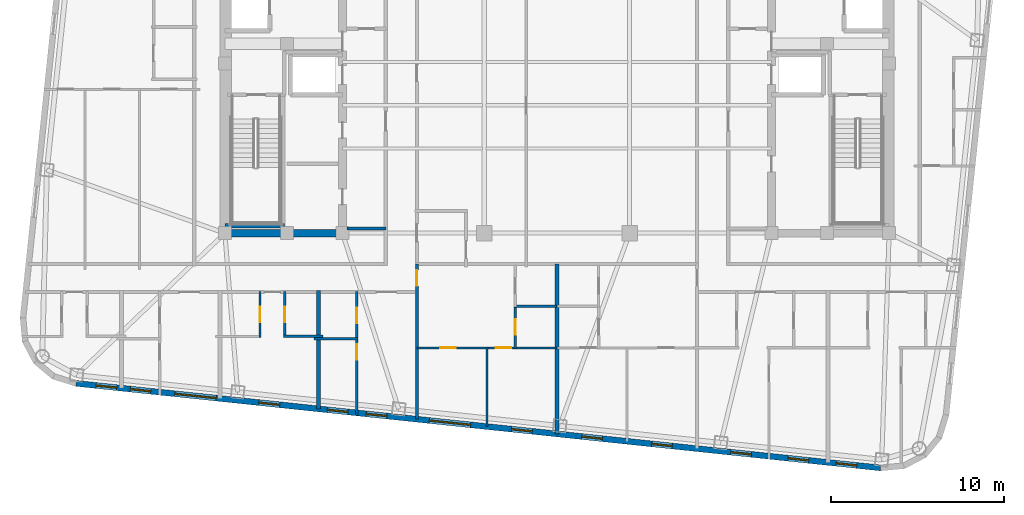
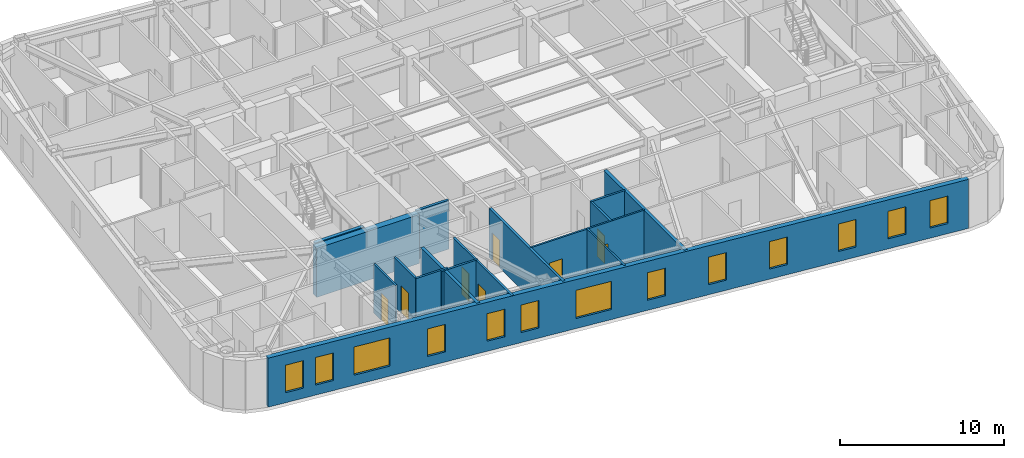
# One storey, part 3 of 11: 17 walls, 13 windows, 8 doors, 21 openings.
"""IFC4 building model written with IfcOpenShell, lengths in metres."""

from ifc_helpers import new_model, si_unit, direction, frame, frame_2d, origin, place, context, subcontext, project, spatial, rectangle, extrude, material, layer, layer_set, type_object, element, fill, save


model = new_model("IFC4")

# Units and contexts
model_context = context("Model", 3, precision=1e-05, world=origin(), true_north=direction((0.0, 1.0)))
body_context = subcontext(model_context, "Body", "Model", "MODEL_VIEW")
ifc_project = project(units=[si_unit("LENGTHUNIT", "METRE"), si_unit("AREAUNIT", "SQUARE_METRE"), si_unit("VOLUMEUNIT", "CUBIC_METRE"), si_unit("PLANEANGLEUNIT", "RADIAN"), si_unit("MASSUNIT", "GRAM", prefix="KILO")], contexts=[model_context])

# Site, building, storey
site_placement = place(None, origin())
site = spatial("IfcSite", under=ifc_project, at=site_placement, CompositionType="ELEMENT")
building_placement = place(site_placement, origin())
building = spatial("IfcBuilding", under=site, at=building_placement, Name="Voryun Gate Residences", CompositionType="ELEMENT")
storey_placement = place(building_placement, frame((0.0, 0.0, 283.39990234375)))
storey = spatial("IfcBuildingStorey", under=building, at=storey_placement, Name="L70", CompositionType="ELEMENT", Elevation=283.39990234375)

# Walls
ifc_material_1 = material(Name="Concrete C50/60", Category="concrete")
ifc_layer_1 = layer(ifc_material_1, 0.449951171875, Name="CW_CORE_450")
ifc_layer_set_1 = layer_set([ifc_layer_1], Name="Concrete C50/60")
wall_type_1 = type_object("IfcWallType", Name="CW_CORE_450", PredefinedType="SHEAR", material=ifc_layer_set_1)
wall_1_placement = place(storey_placement, frame((-19.425048828125, -7.39990234375, 0.0), z_axis=(0.0, 0.0, 1.0), x_axis=(1.0, 0.0, 0.0)))
element("IfcWall", 1, at=wall_1_placement, inside=storey, type_object=wall_type_1, Name="L70 Core shear wall CW-L70-WS", PredefinedType="SHEAR", context=body_context, shape_type="SweptSolid", body=[
    extrude(rectangle(XDim=7.25, YDim=0.449951171875, at=frame_2d((3.625, 0.0))), origin(), (0.0, 0.0, 1.0), 3.650146484375),
])
ifc_material_2 = material(Name="Gypsum acoustic fireboard")
ifc_layer_2 = layer(ifc_material_2, 0.179931640625, Name="W_CORR_RATED_180")
ifc_layer_set_2 = layer_set([ifc_layer_2], Name="Gypsum acoustic fireboard")
wall_type_2 = type_object("IfcWallType", Name="W_CORR_RATED_180", PredefinedType="PARTITIONING", material=ifc_layer_set_2)
wall_2_placement = place(storey_placement, frame((-12.14990234375, -7.1201171875, 0.0), z_axis=(0.0, 0.0, 1.0), x_axis=(1.0, 0.0, 0.0)))
element("IfcWall", 2, at=wall_2_placement, inside=storey, type_object=wall_type_2, Name="Partition wall WP-L70-PLBS-W", PredefinedType="PARTITIONING", context=body_context, shape_type="SweptSolid", body=[
    extrude(rectangle(XDim=2.27001953125, YDim=0.179931640625, at=frame_2d((1.135009765625, 0.0))), origin(), (0.0, 0.0, 1.0), 3.650146484375),
])

# Wall, opening, door
wall_3_placement = place(storey_placement, frame((-8.10009765625, -18.154541015625, 0.0), z_axis=(0.0, 0.0, 1.0), x_axis=(0.0, 1.0, 0.0)))
wall_3 = element("IfcWall", 3, at=wall_3_placement, inside=storey, type_object=wall_type_2, Name="Partition wall WP-L70-SZV-1", PredefinedType="PARTITIONING", context=body_context, shape_type="SweptSolid", body=[
    extrude(rectangle(XDim=8.964599609375, YDim=0.179931640625, at=frame_2d((4.482421875, 0.0))), origin(), (0.0, 0.0, 1.0), 3.650146484375),
])
opening_1_placement = place(wall_3_placement, frame((7.71484375, 0.0, 0.0)))
opening_1 = element("IfcOpeningElement", 4, at=opening_1_placement, cuts=wall_3, Name="Opening D-INT-2", PredefinedType="OPENING", context=body_context, shape_type="SweptSolid", body=[
    extrude(rectangle(XDim=0.89990234375, YDim=2.050048828125, at=frame_2d((0.449951171875, 1.02490234375))), frame((0.0, 0.099853515625, 0.0), z_axis=(0.0, -1.0, 0.0), x_axis=(1.0, 0.0, 0.0)), (0.0, 0.0, 1.0), 0.199951171875),
])
ifc_material_3 = material(Name="Architectural oak veneer")
door_type = type_object("IfcDoorType", Name="DR_INT_BATH_900", OperationType="NOTDEFINED", PredefinedType="DOOR", material=ifc_material_3)
door_1_placement = place(opening_1_placement, origin())
door_1 = element("IfcDoor", 5, at=door_1_placement, inside=storey, type_object=door_type, Name="Door DR-L70-SZENT-1", OperationType="SINGLE_SWING_LEFT", OverallHeight=2.050048828125, OverallWidth=0.89990234375, PredefinedType="DOOR", context=body_context, shape_type="SweptSolid", body=[
    extrude(rectangle(XDim=0.89990234375, YDim=2.050048828125, at=frame_2d((0.449951171875, 1.02490234375))), frame((0.0, 0.02490234375, 0.0), z_axis=(0.0, -1.0, 0.0), x_axis=(1.0, 0.0, 0.0)), (0.0, 0.0, 1.0), 0.050048828125),
])
fill(opening_1, door_1)

# Wall, openings, windows
ifc_material_4 = material(Name="Charcoal terracotta masonry", Category="masonry")
ifc_layer_3 = layer(ifc_material_4, 0.340087890625, Name="W_EXT_TERRACOTTA_340")
ifc_layer_set_3 = layer_set([ifc_layer_3], Name="Charcoal terracotta masonry")
wall_type_3 = type_object("IfcWallType", Name="W_EXT_TERRACOTTA_340", PredefinedType="ELEMENTEDWALL", material=ifc_layer_set_3)
wall_4_placement = place(storey_placement, frame((18.707763671875, -20.97216796875, 0.0), z_axis=(0.0, 0.0, 1.0), x_axis=(-0.994521888554, 0.104528528102, 0.0)))
wall_4 = element("IfcWall", 6, at=wall_4_placement, inside=storey, type_object=wall_type_3, Name="Exterior wall WEXT-L70-01", PredefinedType="ELEMENTEDWALL", context=body_context, shape_type="SweptSolid", body=[
    extrude(rectangle(XDim=46.766357421875, YDim=0.340087890625, at=frame_2d((23.38330078125, 0.0))), origin(), (0.0, 0.0, 1.0), 3.650146484375),
])
opening_2_placement = place(wall_4_placement, frame((23.833251953125, 0.0, 0.75)))
opening_2 = element("IfcOpeningElement", 7, at=opening_2_placement, cuts=wall_4, Name="Opening WN2", PredefinedType="OPENING", context=body_context, shape_type="SweptSolid", body=[
    extrude(rectangle(XDim=2.39990234375, YDim=2.10009765625, at=frame_2d((1.199951171875, 1.050048828125))), frame((0.0, 0.179931640625, 0.0), z_axis=(0.0, -1.0, 0.0), x_axis=(1.0, 0.0, 0.0)), (0.0, 0.0, 1.0), 0.360107421875),
])
opening_3_placement = place(wall_4_placement, frame((38.6220703125, 0.0, 0.75)))
opening_3 = element("IfcOpeningElement", 8, at=opening_3_placement, cuts=wall_4, Name="Opening WN2", PredefinedType="OPENING", context=body_context, shape_type="SweptSolid", body=[
    extrude(rectangle(XDim=2.39990234375, YDim=2.10009765625, at=frame_2d((1.199951171875, 1.050048828125))), frame((0.0, 0.179931640625, 0.0), z_axis=(0.0, -1.0, 0.0), x_axis=(1.0, 0.0, 0.0)), (0.0, 0.0, 1.0), 0.360107421875),
])
opening_4_placement = place(wall_4_placement, frame((44.40185546875, 0.0, 0.75)))
opening_4 = element("IfcOpeningElement", 9, at=opening_4_placement, cuts=wall_4, Name="Opening WN6", PredefinedType="OPENING", context=body_context, shape_type="SweptSolid", body=[
    extrude(rectangle(XDim=1.199951171875, YDim=2.050048828125, at=frame_2d((0.60009765625, 1.02490234375))), frame((0.0, 0.179931640625, 0.0), z_axis=(0.0, -1.0, 0.0), x_axis=(1.0, 0.0, 0.0)), (0.0, 0.0, 1.0), 0.360107421875),
])
opening_5_placement = place(wall_4_placement, frame((42.418701171875, 0.0, 0.75)))
opening_5 = element("IfcOpeningElement", 10, at=opening_5_placement, cuts=wall_4, Name="Opening WN6", PredefinedType="OPENING", context=body_context, shape_type="SweptSolid", body=[
    extrude(rectangle(XDim=1.199951171875, YDim=2.050048828125, at=frame_2d((0.60009765625, 1.02490234375))), frame((0.0, 0.179931640625, 0.0), z_axis=(0.0, -1.0, 0.0), x_axis=(1.0, 0.0, 0.0)), (0.0, 0.0, 1.0), 0.360107421875),
])
opening_6_placement = place(wall_4_placement, frame((34.93310546875, 0.0, 0.75)))
opening_6 = element("IfcOpeningElement", 11, at=opening_6_placement, cuts=wall_4, Name="Opening WN6", PredefinedType="OPENING", context=body_context, shape_type="SweptSolid", body=[
    extrude(rectangle(XDim=1.199951171875, YDim=2.050048828125, at=frame_2d((0.60009765625, 1.02490234375))), frame((0.0, 0.179931640625, 0.0), z_axis=(0.0, -1.0, 0.0), x_axis=(1.0, 0.0, 0.0)), (0.0, 0.0, 1.0), 0.360107421875),
])
opening_7_placement = place(wall_4_placement, frame((28.69189453125, 0.0, 0.75)))
opening_7 = element("IfcOpeningElement", 12, at=opening_7_placement, cuts=wall_4, Name="Opening WN6", PredefinedType="OPENING", context=body_context, shape_type="SweptSolid", body=[
    extrude(rectangle(XDim=1.199951171875, YDim=2.050048828125, at=frame_2d((0.60009765625, 1.02490234375))), frame((0.0, 0.179931640625, 0.0), z_axis=(0.0, -1.0, 0.0), x_axis=(1.0, 0.0, 0.0)), (0.0, 0.0, 1.0), 0.360107421875),
])
opening_8_placement = place(wall_4_placement, frame((30.95703125, 0.0, 0.75)))
opening_8 = element("IfcOpeningElement", 13, at=opening_8_placement, cuts=wall_4, Name="Opening WN6", PredefinedType="OPENING", context=body_context, shape_type="SweptSolid", body=[
    extrude(rectangle(XDim=1.199951171875, YDim=2.050048828125, at=frame_2d((0.60009765625, 1.02490234375))), frame((0.0, 0.179931640625, 0.0), z_axis=(0.0, -1.0, 0.0), x_axis=(1.0, 0.0, 0.0)), (0.0, 0.0, 1.0), 0.360107421875),
])
opening_9_placement = place(wall_4_placement, frame((7.510009765625, 0.0, 0.75)))
opening_9 = element("IfcOpeningElement", 14, at=opening_9_placement, cuts=wall_4, Name="Opening WN6", PredefinedType="OPENING", context=body_context, shape_type="SweptSolid", body=[
    extrude(rectangle(XDim=1.199951171875, YDim=2.050048828125, at=frame_2d((0.60009765625, 1.02490234375))), frame((0.0, 0.179931640625, 0.0), z_axis=(0.0, -1.0, 0.0), x_axis=(1.0, 0.0, 0.0)), (0.0, 0.0, 1.0), 0.360107421875),
])
opening_10_placement = place(wall_4_placement, frame((4.17724609375, 0.0, 0.75)))
opening_10 = element("IfcOpeningElement", 15, at=opening_10_placement, cuts=wall_4, Name="Opening WN6", PredefinedType="OPENING", context=body_context, shape_type="SweptSolid", body=[
    extrude(rectangle(XDim=1.199951171875, YDim=2.050048828125, at=frame_2d((0.60009765625, 1.02490234375))), frame((0.0, 0.179931640625, 0.0), z_axis=(0.0, -1.0, 0.0), x_axis=(1.0, 0.0, 0.0)), (0.0, 0.0, 1.0), 0.360107421875),
])
opening_11_placement = place(wall_4_placement, frame((1.377685546875, 0.0, 0.75)))
opening_11 = element("IfcOpeningElement", 16, at=opening_11_placement, cuts=wall_4, Name="Opening WN6", PredefinedType="OPENING", context=body_context, shape_type="SweptSolid", body=[
    extrude(rectangle(XDim=1.199951171875, YDim=2.050048828125, at=frame_2d((0.60009765625, 1.02490234375))), frame((0.0, 0.179931640625, 0.0), z_axis=(0.0, -1.0, 0.0), x_axis=(1.0, 0.0, 0.0)), (0.0, 0.0, 1.0), 0.360107421875),
])
opening_12_placement = place(wall_4_placement, frame((20.25439453125, 0.0, 0.75)))
opening_12 = element("IfcOpeningElement", 17, at=opening_12_placement, cuts=wall_4, Name="Opening WN6", PredefinedType="OPENING", context=body_context, shape_type="SweptSolid", body=[
    extrude(rectangle(XDim=1.199951171875, YDim=2.050048828125, at=frame_2d((0.60009765625, 1.02490234375))), frame((0.0, 0.179931640625, 0.0), z_axis=(0.0, -1.0, 0.0), x_axis=(1.0, 0.0, 0.0)), (0.0, 0.0, 1.0), 0.360107421875),
])
opening_13_placement = place(wall_4_placement, frame((16.172119140625, 0.0, 0.75)))
opening_13 = element("IfcOpeningElement", 18, at=opening_13_placement, cuts=wall_4, Name="Opening WN6", PredefinedType="OPENING", context=body_context, shape_type="SweptSolid", body=[
    extrude(rectangle(XDim=1.199951171875, YDim=2.050048828125, at=frame_2d((0.60009765625, 1.02490234375))), frame((0.0, 0.179931640625, 0.0), z_axis=(0.0, -1.0, 0.0), x_axis=(1.0, 0.0, 0.0)), (0.0, 0.0, 1.0), 0.360107421875),
])
opening_14_placement = place(wall_4_placement, frame((12.109619140625, 0.0, 0.75)))
opening_14 = element("IfcOpeningElement", 19, at=opening_14_placement, cuts=wall_4, Name="Opening WN6", PredefinedType="OPENING", context=body_context, shape_type="SweptSolid", body=[
    extrude(rectangle(XDim=1.199951171875, YDim=2.050048828125, at=frame_2d((0.60009765625, 1.02490234375))), frame((0.0, 0.179931640625, 0.0), z_axis=(0.0, -1.0, 0.0), x_axis=(1.0, 0.0, 0.0)), (0.0, 0.0, 1.0), 0.360107421875),
])
ifc_material_5 = material(Name="Laminated low-E glass", Category="glass")
window_type_1 = type_object("IfcWindowType", Name="WN_POD_SLOT_1200", PartitioningType="SINGLE_PANEL", PredefinedType="WINDOW", material=ifc_material_5)
window_1_placement = place(opening_4_placement, origin())
window_1 = element("IfcWindow", 20, at=window_1_placement, inside=storey, type_object=window_type_1, Name="Window WN-L70-DWFIX-13", OverallHeight=2.050048828125, OverallWidth=1.199951171875, PartitioningType="SINGLE_PANEL", PredefinedType="WINDOW", context=body_context, shape_type="SweptSolid", body=[
    extrude(rectangle(XDim=1.199951171875, YDim=2.050048828125, at=frame_2d((0.60009765625, 1.02490234375))), frame((0.0, 0.030029296875, 0.0), z_axis=(0.0, -1.0, 0.0), x_axis=(1.0, 0.0, 0.0)), (0.0, 0.0, 1.0), 0.06005859375),
])
fill(opening_4, window_1)
window_2_placement = place(opening_5_placement, origin())
window_2 = element("IfcWindow", 21, at=window_2_placement, inside=storey, type_object=window_type_1, Name="Window WN-L70-DWFIX-14", OverallHeight=2.050048828125, OverallWidth=1.199951171875, PartitioningType="SINGLE_PANEL", PredefinedType="WINDOW", context=body_context, shape_type="SweptSolid", body=[
    extrude(rectangle(XDim=1.199951171875, YDim=2.050048828125, at=frame_2d((0.60009765625, 1.02490234375))), frame((0.0, 0.030029296875, 0.0), z_axis=(0.0, -1.0, 0.0), x_axis=(1.0, 0.0, 0.0)), (0.0, 0.0, 1.0), 0.06005859375),
])
fill(opening_5, window_2)
window_3_placement = place(opening_6_placement, origin())
window_3 = element("IfcWindow", 22, at=window_3_placement, inside=storey, type_object=window_type_1, Name="Window WN-L70-DWFIX-15", OverallHeight=2.050048828125, OverallWidth=1.199951171875, PartitioningType="SINGLE_PANEL", PredefinedType="WINDOW", context=body_context, shape_type="SweptSolid", body=[
    extrude(rectangle(XDim=1.199951171875, YDim=2.050048828125, at=frame_2d((0.60009765625, 1.02490234375))), frame((0.0, 0.030029296875, 0.0), z_axis=(0.0, -1.0, 0.0), x_axis=(1.0, 0.0, 0.0)), (0.0, 0.0, 1.0), 0.06005859375),
])
fill(opening_6, window_3)
window_4_placement = place(opening_7_placement, origin())
window_4 = element("IfcWindow", 23, at=window_4_placement, inside=storey, type_object=window_type_1, Name="Window WN-L70-DWFIX-16", OverallHeight=2.050048828125, OverallWidth=1.199951171875, PartitioningType="SINGLE_PANEL", PredefinedType="WINDOW", context=body_context, shape_type="SweptSolid", body=[
    extrude(rectangle(XDim=1.199951171875, YDim=2.050048828125, at=frame_2d((0.60009765625, 1.02490234375))), frame((0.0, 0.030029296875, 0.0), z_axis=(0.0, -1.0, 0.0), x_axis=(1.0, 0.0, 0.0)), (0.0, 0.0, 1.0), 0.06005859375),
])
fill(opening_7, window_4)
window_5_placement = place(opening_8_placement, origin())
window_5 = element("IfcWindow", 24, at=window_5_placement, inside=storey, type_object=window_type_1, Name="Window WN-L70-DWFIX-17", OverallHeight=2.050048828125, OverallWidth=1.199951171875, PartitioningType="SINGLE_PANEL", PredefinedType="WINDOW", context=body_context, shape_type="SweptSolid", body=[
    extrude(rectangle(XDim=1.199951171875, YDim=2.050048828125, at=frame_2d((0.60009765625, 1.02490234375))), frame((0.0, 0.030029296875, 0.0), z_axis=(0.0, -1.0, 0.0), x_axis=(1.0, 0.0, 0.0)), (0.0, 0.0, 1.0), 0.06005859375),
])
fill(opening_8, window_5)
window_6_placement = place(opening_9_placement, origin())
window_6 = element("IfcWindow", 25, at=window_6_placement, inside=storey, type_object=window_type_1, Name="Window WN-L70-DWFIX-18", OverallHeight=2.050048828125, OverallWidth=1.199951171875, PartitioningType="SINGLE_PANEL", PredefinedType="WINDOW", context=body_context, shape_type="SweptSolid", body=[
    extrude(rectangle(XDim=1.199951171875, YDim=2.050048828125, at=frame_2d((0.60009765625, 1.02490234375))), frame((0.0, 0.030029296875, 0.0), z_axis=(0.0, -1.0, 0.0), x_axis=(1.0, 0.0, 0.0)), (0.0, 0.0, 1.0), 0.06005859375),
])
fill(opening_9, window_6)
window_7_placement = place(opening_10_placement, origin())
window_7 = element("IfcWindow", 26, at=window_7_placement, inside=storey, type_object=window_type_1, Name="Window WN-L70-DWFIX-19", OverallHeight=2.050048828125, OverallWidth=1.199951171875, PartitioningType="SINGLE_PANEL", PredefinedType="WINDOW", context=body_context, shape_type="SweptSolid", body=[
    extrude(rectangle(XDim=1.199951171875, YDim=2.050048828125, at=frame_2d((0.60009765625, 1.02490234375))), frame((0.0, 0.030029296875, 0.0), z_axis=(0.0, -1.0, 0.0), x_axis=(1.0, 0.0, 0.0)), (0.0, 0.0, 1.0), 0.06005859375),
])
fill(opening_10, window_7)
window_8_placement = place(opening_11_placement, origin())
window_8 = element("IfcWindow", 27, at=window_8_placement, inside=storey, type_object=window_type_1, Name="Window WN-L70-DWFIX-20", OverallHeight=2.050048828125, OverallWidth=1.199951171875, PartitioningType="SINGLE_PANEL", PredefinedType="WINDOW", context=body_context, shape_type="SweptSolid", body=[
    extrude(rectangle(XDim=1.199951171875, YDim=2.050048828125, at=frame_2d((0.60009765625, 1.02490234375))), frame((0.0, 0.030029296875, 0.0), z_axis=(0.0, -1.0, 0.0), x_axis=(1.0, 0.0, 0.0)), (0.0, 0.0, 1.0), 0.06005859375),
])
fill(opening_11, window_8)
window_9_placement = place(opening_12_placement, origin())
window_9 = element("IfcWindow", 28, at=window_9_placement, inside=storey, type_object=window_type_1, Name="Window WN-L70-DWFIX-22", OverallHeight=2.050048828125, OverallWidth=1.199951171875, PartitioningType="SINGLE_PANEL", PredefinedType="WINDOW", context=body_context, shape_type="SweptSolid", body=[
    extrude(rectangle(XDim=1.199951171875, YDim=2.050048828125, at=frame_2d((0.60009765625, 1.02490234375))), frame((0.0, 0.030029296875, 0.0), z_axis=(0.0, -1.0, 0.0), x_axis=(1.0, 0.0, 0.0)), (0.0, 0.0, 1.0), 0.06005859375),
])
fill(opening_12, window_9)
window_10_placement = place(opening_13_placement, origin())
window_10 = element("IfcWindow", 29, at=window_10_placement, inside=storey, type_object=window_type_1, Name="Window WN-L70-DWFIX-23", OverallHeight=2.050048828125, OverallWidth=1.199951171875, PartitioningType="SINGLE_PANEL", PredefinedType="WINDOW", context=body_context, shape_type="SweptSolid", body=[
    extrude(rectangle(XDim=1.199951171875, YDim=2.050048828125, at=frame_2d((0.60009765625, 1.02490234375))), frame((0.0, 0.030029296875, 0.0), z_axis=(0.0, -1.0, 0.0), x_axis=(1.0, 0.0, 0.0)), (0.0, 0.0, 1.0), 0.06005859375),
])
fill(opening_13, window_10)
window_11_placement = place(opening_14_placement, origin())
window_11 = element("IfcWindow", 30, at=window_11_placement, inside=storey, type_object=window_type_1, Name="Window WN-L70-DWFIX-24", OverallHeight=2.050048828125, OverallWidth=1.199951171875, PartitioningType="SINGLE_PANEL", PredefinedType="WINDOW", context=body_context, shape_type="SweptSolid", body=[
    extrude(rectangle(XDim=1.199951171875, YDim=2.050048828125, at=frame_2d((0.60009765625, 1.02490234375))), frame((0.0, 0.030029296875, 0.0), z_axis=(0.0, -1.0, 0.0), x_axis=(1.0, 0.0, 0.0)), (0.0, 0.0, 1.0), 0.06005859375),
])
fill(opening_14, window_11)
ifc_material_6 = material(Name="Laminated low-E glass", Category="glass")
window_type_2 = type_object("IfcWindowType", Name="WN_RES_WIDE_2400", PartitioningType="SINGLE_PANEL", PredefinedType="WINDOW", material=ifc_material_6)
window_12_placement = place(opening_2_placement, origin())
window_12 = element("IfcWindow", 31, at=window_12_placement, inside=storey, type_object=window_type_2, Name="Window WN-WEXT-L70-01-02", OverallHeight=2.10009765625, OverallWidth=2.39990234375, PartitioningType="SINGLE_PANEL", PredefinedType="WINDOW", context=body_context, shape_type="SweptSolid", body=[
    extrude(rectangle(XDim=2.39990234375, YDim=2.10009765625, at=frame_2d((1.199951171875, 1.050048828125))), frame((0.0, 0.030029296875, 0.0), z_axis=(0.0, -1.0, 0.0), x_axis=(1.0, 0.0, 0.0)), (0.0, 0.0, 1.0), 0.06005859375),
])
fill(opening_2, window_12)
window_13_placement = place(opening_3_placement, origin())
window_13 = element("IfcWindow", 32, at=window_13_placement, inside=storey, type_object=window_type_2, Name="Window WN-WEXT-L70-01-03", OverallHeight=2.10009765625, OverallWidth=2.39990234375, PartitioningType="SINGLE_PANEL", PredefinedType="WINDOW", context=body_context, shape_type="SweptSolid", body=[
    extrude(rectangle(XDim=2.39990234375, YDim=2.10009765625, at=frame_2d((1.199951171875, 1.050048828125))), frame((0.0, 0.030029296875, 0.0), z_axis=(0.0, -1.0, 0.0), x_axis=(1.0, 0.0, 0.0)), (0.0, 0.0, 1.0), 0.06005859375),
])
fill(opening_3, window_13)

# Walls
ifc_material_7 = material(Name="Concrete C40/50", Category="concrete")
ifc_layer_4 = layer(ifc_material_7, 0.219970703125, Name="W_PARTY_ACOUSTIC_220")
ifc_layer_set_4 = layer_set([ifc_layer_4], Name="Concrete C40/50")
wall_type_4 = type_object("IfcWallType", Name="W_PARTY_ACOUSTIC_220", PredefinedType="PARTITIONING", material=ifc_layer_set_4)
wall_5_placement = place(storey_placement, frame((-13.779052734375, -17.5576171875, 0.0), z_axis=(0.0, 0.0, 1.0), x_axis=(0.0, 1.0, 0.0)))
element("IfcWall", 33, at=wall_5_placement, inside=storey, type_object=wall_type_4, Name="Partition wall WP-L70-SPTY-3", PredefinedType="PARTITIONING", context=body_context, shape_type="SweptSolid", body=[
    extrude(rectangle(XDim=6.837646484375, YDim=0.219970703125, at=frame_2d((3.4189453125, 0.0))), origin(), (0.0, 0.0, 1.0), 3.650146484375),
])
wall_6_placement = place(storey_placement, frame((0.0, -19.005859375, 0.0), z_axis=(0.0, 0.0, 1.0), x_axis=(0.0, 1.0, 0.0)))
element("IfcWall", 34, at=wall_6_placement, inside=storey, type_object=wall_type_4, Name="Partition wall WP-L70-SZMID", PredefinedType="PARTITIONING", context=body_context, shape_type="SweptSolid", body=[
    extrude(rectangle(XDim=9.81591796875, YDim=0.219970703125, at=frame_2d((4.907958984375, 0.0))), origin(), (0.0, 0.0, 1.0), 3.650146484375),
])
ifc_material_8 = material(Name="Concrete C50/60", Category="concrete")
ifc_layer_5 = layer(ifc_material_8, 0.25, Name="W_SHAFT_RC250")
ifc_layer_set_5 = layer_set([ifc_layer_5], Name="Concrete C50/60")
wall_type_5 = type_object("IfcWallType", Name="W_SHAFT_RC250", PredefinedType="SOLIDWALL", material=ifc_layer_set_5)
wall_7_placement = place(storey_placement, frame((-19.199951171875, -6.965087890625, 0.0), z_axis=(0.0, 0.0, 1.0), x_axis=(1.0, 0.0, 0.0)))
element("IfcWall", 35, at=wall_7_placement, inside=storey, type_object=wall_type_5, Name="L70 Stair shaft structural wall W-STS", PredefinedType="SOLIDWALL", context=body_context, shape_type="SweptSolid", body=[
    extrude(rectangle(XDim=3.4599609375, YDim=0.25, at=frame_2d((1.72998046875, 0.0))), origin(), (0.0, 0.0, 1.0), 3.650146484375),
])

# Wall, opening, door
ifc_material_9 = material(Name="Gypsum acoustic partition")
ifc_layer_6 = layer(ifc_material_9, 0.125, Name="W_UNIT_PART_125")
ifc_layer_set_6 = layer_set([ifc_layer_6], Name="Gypsum acoustic partition")
wall_type_6 = type_object("IfcWallType", Name="W_UNIT_PART_125", PredefinedType="PARTITIONING", material=ifc_layer_set_6)
wall_8_placement = place(storey_placement, frame((-17.16796875, -13.429931640625, 0.0), z_axis=(0.0, 0.0, 1.0), x_axis=(0.0, 1.0, 0.0)))
wall_8 = element("IfcWall", 36, at=wall_8_placement, inside=storey, type_object=wall_type_6, Name="Partition wall WP-L70-S3-CVK", PredefinedType="PARTITIONING", context=body_context, shape_type="SweptSolid", body=[
    extrude(rectangle(XDim=2.64990234375, YDim=0.125, at=frame_2d((1.324951171875, 0.0))), origin(), (0.0, 0.0, 1.0), 3.650146484375),
])
opening_15_placement = place(wall_8_placement, frame((0.875, 0.0, 0.0)))
opening_15 = element("IfcOpeningElement", 37, at=opening_15_placement, cuts=wall_8, Name="Opening D-INT-2", PredefinedType="OPENING", context=body_context, shape_type="SweptSolid", body=[
    extrude(rectangle(XDim=0.89990234375, YDim=2.050048828125, at=frame_2d((0.449951171875, 1.02490234375))), frame((0.0, 0.072509765625, 0.0), z_axis=(0.0, -1.0, 0.0), x_axis=(1.0, 0.0, 0.0)), (0.0, 0.0, 1.0), 0.14501953125),
])
door_2_placement = place(opening_15_placement, origin())
door_2 = element("IfcDoor", 38, at=door_2_placement, inside=storey, type_object=door_type, Name="Door DR-L70-S3-DK", OperationType="SINGLE_SWING_LEFT", OverallHeight=2.050048828125, OverallWidth=0.89990234375, PredefinedType="DOOR", context=body_context, shape_type="SweptSolid", body=[
    extrude(rectangle(XDim=0.89990234375, YDim=2.050048828125, at=frame_2d((0.449951171875, 1.02490234375))), frame((0.0, 0.02490234375, 0.0), z_axis=(0.0, -1.0, 0.0), x_axis=(1.0, 0.0, 0.0)), (0.0, 0.0, 1.0), 0.050048828125),
])
fill(opening_15, door_2)

# Wall, openings, doors
wall_9_placement = place(storey_placement, frame((-8.080078125, -14.030029296875, 0.0), z_axis=(0.0, 0.0, 1.0), x_axis=(1.0, 0.0, 0.0)))
wall_9 = element("IfcWall", 39, at=wall_9_placement, inside=storey, type_object=wall_type_6, Name="Partition wall WP-L70-SC1-HZ", PredefinedType="PARTITIONING", context=body_context, shape_type="SweptSolid", body=[
    extrude(rectangle(XDim=8.06005859375, YDim=0.125, at=frame_2d((4.030029296875, 0.0))), origin(), (0.0, 0.0, 1.0), 3.650146484375),
])
opening_16_placement = place(wall_9_placement, frame((1.3232421875, 0.0, 0.0)))
opening_16 = element("IfcOpeningElement", 40, at=opening_16_placement, cuts=wall_9, Name="Opening D-INT-2", PredefinedType="OPENING", context=body_context, shape_type="SweptSolid", body=[
    extrude(rectangle(XDim=0.89990234375, YDim=2.050048828125, at=frame_2d((0.449951171875, 1.02490234375))), frame((0.0, 0.072509765625, 0.0), z_axis=(0.0, -1.0, 0.0), x_axis=(1.0, 0.0, 0.0)), (0.0, 0.0, 1.0), 0.14501953125),
])
opening_17_placement = place(wall_9_placement, frame((4.547119140625, 0.0, 0.0)))
opening_17 = element("IfcOpeningElement", 41, at=opening_17_placement, cuts=wall_9, Name="Opening D-INT-2", PredefinedType="OPENING", context=body_context, shape_type="SweptSolid", body=[
    extrude(rectangle(XDim=0.89990234375, YDim=2.050048828125, at=frame_2d((0.449951171875, 1.02490234375))), frame((0.0, 0.072509765625, 0.0), z_axis=(0.0, -1.0, 0.0), x_axis=(1.0, 0.0, 0.0)), (0.0, 0.0, 1.0), 0.14501953125),
])
door_3_placement = place(opening_16_placement, origin())
door_3 = element("IfcDoor", 42, at=door_3_placement, inside=storey, type_object=door_type, Name="Door DR-L70-SC1-DMB", OperationType="SINGLE_SWING_LEFT", OverallHeight=2.050048828125, OverallWidth=0.89990234375, PredefinedType="DOOR", context=body_context, shape_type="SweptSolid", body=[
    extrude(rectangle(XDim=0.89990234375, YDim=2.050048828125, at=frame_2d((0.449951171875, 1.02490234375))), frame((0.0, 0.02490234375, 0.0), z_axis=(0.0, -1.0, 0.0), x_axis=(1.0, 0.0, 0.0)), (0.0, 0.0, 1.0), 0.050048828125),
])
fill(opening_16, door_3)
door_4_placement = place(opening_17_placement, origin())
door_4 = element("IfcDoor", 43, at=door_4_placement, inside=storey, type_object=door_type, Name="Door DR-L70-SC1-DBD2", OperationType="SINGLE_SWING_RIGHT", OverallHeight=2.050048828125, OverallWidth=0.89990234375, PredefinedType="DOOR", context=body_context, shape_type="SweptSolid", body=[
    extrude(rectangle(XDim=0.89990234375, YDim=2.050048828125, at=frame_2d((0.449951171875, 1.02490234375))), frame((0.0, 0.02490234375, 0.0), z_axis=(0.0, -1.0, 0.0), x_axis=(1.0, 0.0, 0.0)), (0.0, 0.0, 1.0), 0.050048828125),
])
fill(opening_17, door_4)

# Wall
wall_10_placement = place(storey_placement, frame((-4.050048828125, -18.580078125, 0.0), z_axis=(0.0, 0.0, 1.0), x_axis=(0.0, 1.0, 0.0)))
element("IfcWall", 44, at=wall_10_placement, inside=storey, type_object=wall_type_6, Name="Partition wall WP-L70-SC1-VBD", PredefinedType="PARTITIONING", context=body_context, shape_type="SweptSolid", body=[
    extrude(rectangle(XDim=4.590087890625, YDim=0.125, at=frame_2d((2.294921875, 0.0))), origin(), (0.0, 0.0, 1.0), 3.650146484375),
])

# Wall, opening, door
ifc_material_10 = material(Name="Gypsum moisture-resistant partition")
ifc_layer_7 = layer(ifc_material_10, 0.14990234375, Name="W_WET_PLUMB_150")
ifc_layer_set_7 = layer_set([ifc_layer_7], Name="Gypsum moisture-resistant partition")
wall_type_7 = type_object("IfcWallType", Name="W_WET_PLUMB_150", PredefinedType="PLUMBINGWALL", material=ifc_layer_set_7)
wall_11_placement = place(storey_placement, frame((-15.736083984375, -13.429931640625, 0.0), z_axis=(0.0, 0.0, 1.0), x_axis=(0.0, 1.0, 0.0)))
wall_11 = element("IfcWall", 45, at=wall_11_placement, inside=storey, type_object=wall_type_7, Name="Partition wall WP-L70-S3-CVB", PredefinedType="PLUMBINGWALL", context=body_context, shape_type="SweptSolid", body=[
    extrude(rectangle(XDim=2.64990234375, YDim=0.14990234375, at=frame_2d((1.324951171875, 0.0))), origin(), (0.0, 0.0, 1.0), 3.650146484375),
])
opening_18_placement = place(wall_11_placement, frame((0.875, 0.0, 0.0)))
opening_18 = element("IfcOpeningElement", 46, at=opening_18_placement, cuts=wall_11, Name="Opening D-INT-2", PredefinedType="OPENING", context=body_context, shape_type="SweptSolid", body=[
    extrude(rectangle(XDim=0.89990234375, YDim=2.050048828125, at=frame_2d((0.449951171875, 1.02490234375))), frame((0.0, 0.0849609375, 0.0), z_axis=(0.0, -1.0, 0.0), x_axis=(1.0, 0.0, 0.0)), (0.0, 0.0, 1.0), 0.169921875),
])
door_5_placement = place(opening_18_placement, origin())
door_5 = element("IfcDoor", 47, at=door_5_placement, inside=storey, type_object=door_type, Name="Door DR-L70-S3-DB", OperationType="SINGLE_SWING_RIGHT", OverallHeight=2.050048828125, OverallWidth=0.89990234375, PredefinedType="DOOR", context=body_context, shape_type="SweptSolid", body=[
    extrude(rectangle(XDim=0.89990234375, YDim=2.050048828125, at=frame_2d((0.449951171875, 1.02490234375))), frame((0.0, 0.02490234375, 0.0), z_axis=(0.0, -1.0, 0.0), x_axis=(1.0, 0.0, 0.0)), (0.0, 0.0, 1.0), 0.050048828125),
])
fill(opening_18, door_5)

# Walls
wall_12_placement = place(storey_placement, frame((-15.7958984375, -13.3701171875, 0.0), z_axis=(0.0, 0.0, 1.0), x_axis=(1.0, 0.0, 0.0)))
element("IfcWall", 48, at=wall_12_placement, inside=storey, type_object=wall_type_7, Name="Partition wall WP-L70-S3-CHB", PredefinedType="PLUMBINGWALL", context=body_context, shape_type="SweptSolid", body=[
    extrude(rectangle(XDim=2.27685546875, YDim=0.14990234375, at=frame_2d((1.138427734375, 0.0))), origin(), (0.0, 0.0, 1.0), 3.650146484375),
])
wall_13_placement = place(storey_placement, frame((-14.0390625, -13.5, 0.0), z_axis=(0.0, 0.0, 1.0), x_axis=(1.0, 0.0, 0.0)))
element("IfcWall", 49, at=wall_13_placement, inside=storey, type_object=wall_type_7, Name="Partition wall WP-L70-S4-SKB", PredefinedType="PLUMBINGWALL", context=body_context, shape_type="SweptSolid", body=[
    extrude(rectangle(XDim=2.550048828125, YDim=0.14990234375, at=frame_2d((1.27490234375, 0.0))), origin(), (0.0, 0.0, 1.0), 3.650146484375),
])

# Wall, opening, door
wall_14_placement = place(storey_placement, frame((-11.569091796875, -17.94091796875, 0.0), z_axis=(0.0, 0.0, 1.0), x_axis=(0.0, 1.0, 0.0)))
wall_14 = element("IfcWall", 50, at=wall_14_placement, inside=storey, type_object=wall_type_7, Name="Partition wall WP-L70-S4-SVT1", PredefinedType="PLUMBINGWALL", context=body_context, shape_type="SweptSolid", body=[
    extrude(rectangle(XDim=4.48095703125, YDim=0.14990234375, at=frame_2d((2.240478515625, 0.0))), origin(), (0.0, 0.0, 1.0), 3.650146484375),
])
opening_19_placement = place(wall_14_placement, frame((3.224365234375, 0.0, 0.0)))
opening_19 = element("IfcOpeningElement", 51, at=opening_19_placement, cuts=wall_14, Name="Opening D-INT-2", PredefinedType="OPENING", context=body_context, shape_type="SweptSolid", body=[
    extrude(rectangle(XDim=0.89990234375, YDim=2.050048828125, at=frame_2d((0.449951171875, 1.02490234375))), frame((0.0, 0.0849609375, 0.0), z_axis=(0.0, -1.0, 0.0), x_axis=(1.0, 0.0, 0.0)), (0.0, 0.0, 1.0), 0.169921875),
])
door_6_placement = place(opening_19_placement, origin())
door_6 = element("IfcDoor", 52, at=door_6_placement, inside=storey, type_object=door_type, Name="Door DR-L70-S4-DK", OperationType="SINGLE_SWING_LEFT", OverallHeight=2.050048828125, OverallWidth=0.89990234375, PredefinedType="DOOR", context=body_context, shape_type="SweptSolid", body=[
    extrude(rectangle(XDim=0.89990234375, YDim=2.050048828125, at=frame_2d((0.449951171875, 1.02490234375))), frame((0.0, 0.02490234375, 0.0), z_axis=(0.0, -1.0, 0.0), x_axis=(1.0, 0.0, 0.0)), (0.0, 0.0, 1.0), 0.050048828125),
])
fill(opening_19, door_6)

wall_15_placement = place(storey_placement, frame((-11.569091796875, -13.5400390625, 0.0), z_axis=(0.0, 0.0, 1.0), x_axis=(0.0, 1.0, 0.0)))
wall_15 = element("IfcWall", 53, at=wall_15_placement, inside=storey, type_object=wall_type_7, Name="Partition wall WP-L70-S4-SVT2", PredefinedType="PLUMBINGWALL", context=body_context, shape_type="SweptSolid", body=[
    extrude(rectangle(XDim=2.760009765625, YDim=0.14990234375, at=frame_2d((1.3798828125, 0.0))), origin(), (0.0, 0.0, 1.0), 3.650146484375),
])
opening_20_placement = place(wall_15_placement, frame((0.929931640625, 0.0, 0.0)))
opening_20 = element("IfcOpeningElement", 54, at=opening_20_placement, cuts=wall_15, Name="Opening D-INT-2", PredefinedType="OPENING", context=body_context, shape_type="SweptSolid", body=[
    extrude(rectangle(XDim=0.89990234375, YDim=2.050048828125, at=frame_2d((0.449951171875, 1.02490234375))), frame((0.0, 0.0849609375, 0.0), z_axis=(0.0, -1.0, 0.0), x_axis=(1.0, 0.0, 0.0)), (0.0, 0.0, 1.0), 0.169921875),
])
door_7_placement = place(opening_20_placement, origin())
door_7 = element("IfcDoor", 55, at=door_7_placement, inside=storey, type_object=door_type, Name="Door DR-L70-S4-DB", OperationType="SINGLE_SWING_RIGHT", OverallHeight=2.050048828125, OverallWidth=0.89990234375, PredefinedType="DOOR", context=body_context, shape_type="SweptSolid", body=[
    extrude(rectangle(XDim=0.89990234375, YDim=2.050048828125, at=frame_2d((0.449951171875, 1.02490234375))), frame((0.0, 0.02490234375, 0.0), z_axis=(0.0, -1.0, 0.0), x_axis=(1.0, 0.0, 0.0)), (0.0, 0.0, 1.0), 0.050048828125),
])
fill(opening_20, door_7)

wall_16_placement = place(storey_placement, frame((-2.409912109375, -14.070068359375, 0.0), z_axis=(0.0, 0.0, 1.0), x_axis=(0.0, 1.0, 0.0)))
wall_16 = element("IfcWall", 56, at=wall_16_placement, inside=storey, type_object=wall_type_7, Name="Partition wall WP-L70-SC1-VK2", PredefinedType="PLUMBINGWALL", context=body_context, shape_type="SweptSolid", body=[
    extrude(rectangle(XDim=2.469970703125, YDim=0.14990234375, at=frame_2d((1.23486328125, 0.0))), origin(), (0.0, 0.0, 1.0), 3.650146484375),
])
opening_21_placement = place(wall_16_placement, frame((0.784912109375, 0.0, 0.0)))
opening_21 = element("IfcOpeningElement", 57, at=opening_21_placement, cuts=wall_16, Name="Opening D-INT-2", PredefinedType="OPENING", context=body_context, shape_type="SweptSolid", body=[
    extrude(rectangle(XDim=0.89990234375, YDim=2.050048828125, at=frame_2d((0.449951171875, 1.02490234375))), frame((0.0, 0.0849609375, 0.0), z_axis=(0.0, -1.0, 0.0), x_axis=(1.0, 0.0, 0.0)), (0.0, 0.0, 1.0), 0.169921875),
])
door_8_placement = place(opening_21_placement, origin())
door_8 = element("IfcDoor", 58, at=door_8_placement, inside=storey, type_object=door_type, Name="Door DR-L70-SC1-DB", OperationType="SINGLE_SWING_RIGHT", OverallHeight=2.050048828125, OverallWidth=0.89990234375, PredefinedType="DOOR", context=body_context, shape_type="SweptSolid", body=[
    extrude(rectangle(XDim=0.89990234375, YDim=2.050048828125, at=frame_2d((0.449951171875, 1.02490234375))), frame((0.0, 0.02490234375, 0.0), z_axis=(0.0, -1.0, 0.0), x_axis=(1.0, 0.0, 0.0)), (0.0, 0.0, 1.0), 0.050048828125),
])
fill(opening_21, door_8)

# Wall
wall_17_placement = place(storey_placement, frame((-2.449951171875, -11.6298828125, 0.0), z_axis=(0.0, 0.0, 1.0), x_axis=(1.0, 0.0, 0.0)))
element("IfcWall", 59, at=wall_17_placement, inside=storey, type_object=wall_type_7, Name="Partition wall WP-L70-SC1-HKB", PredefinedType="PLUMBINGWALL", context=body_context, shape_type="SweptSolid", body=[
    extrude(rectangle(XDim=2.429931640625, YDim=0.14990234375, at=frame_2d((1.21484375, 0.0))), origin(), (0.0, 0.0, 1.0), 3.650146484375),
])

save(model, "model.ifc")
